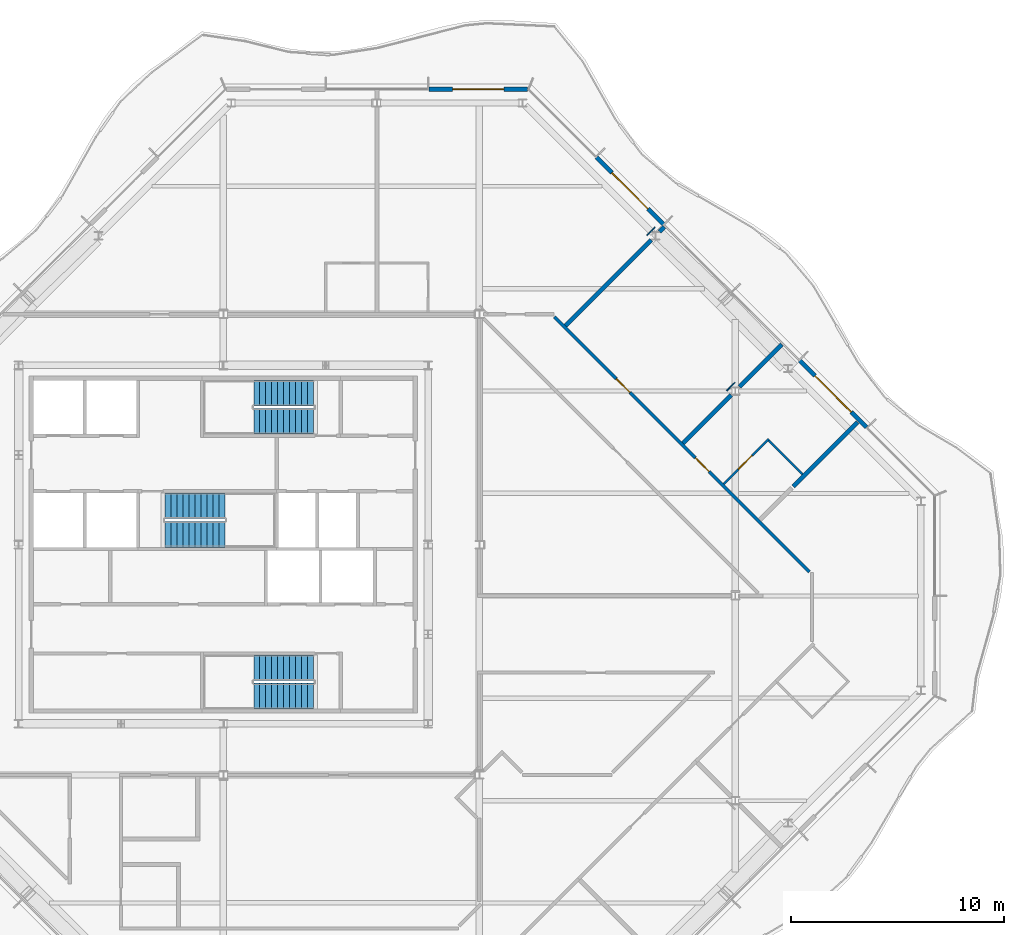
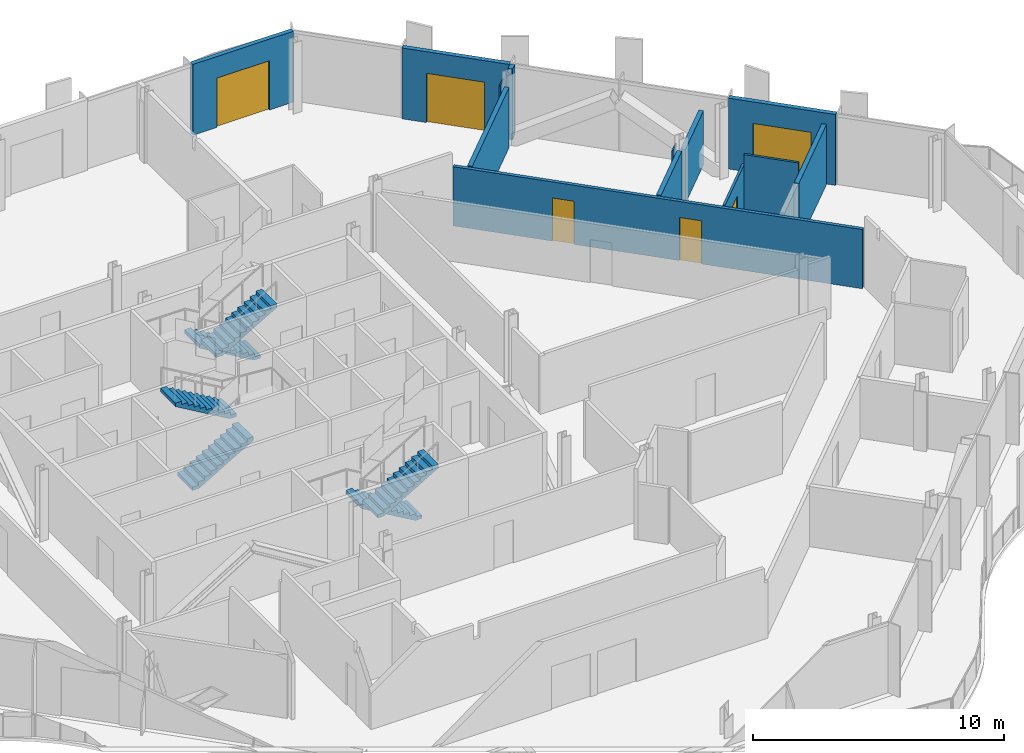
# One storey, part 11 of 16: 13 walls, 6 doors, 6 stair flights, 6 openings, 3 elements without a shape of their own.
"""IFC4 building model written with IfcOpenShell, lengths in metres."""

import ifcopenshell
import ifcopenshell.guid

model = None  # the IFC model being written
_history = None  # IfcOwnerHistory: only IFC2X3 demands one
_inside = {}  # id of a spatial element -> (the spatial element, [elements in it])
_under = {}  # id of a project, library or spatial element -> (it, [spatial elements below it])
_declared = {}  # id of a project -> (the project, [libraries it declares])
_typed = {}  # id of a type object -> (the type object, [elements of that type])
_made_of = {}  # id of a material, layer set ... -> (it, [elements and type objects made of it])


def new_model(schema):
    """Start an empty IFC model of exactly this schema.

    Asked for "IFC4X3", IfcOpenShell would pick the latest addendum, in which some entities
    have other attributes; the version numbers below select the first issue.
    IFC2X3 requires an IfcOwnerHistory on every rooted entity: one is made here for all.
    """
    global model, _history
    if schema == "IFC4X3":
        model = ifcopenshell.file(schema_version=(4, 3, 0, 0))
    else:
        model = ifcopenshell.file(schema=schema)
    _inside.clear()
    _under.clear()
    _declared.clear()
    _typed.clear()
    _made_of.clear()
    _history = None
    if model.schema == "IFC2X3":
        org = make("IfcOrganization", Name="unknown")
        user = make(
            "IfcPersonAndOrganization",
            ThePerson=make("IfcPerson", FamilyName="unknown"),
            TheOrganization=org,
        )
        app = make(
            "IfcApplication",
            ApplicationDeveloper=org,
            Version="unknown",
            ApplicationFullName="unknown",
            ApplicationIdentifier="unknown",
        )
        _history = make(
            "IfcOwnerHistory",
            OwningUser=user,
            OwningApplication=app,
            ChangeAction="ADDED",
            CreationDate=0,
        )
    return model


def make(cls, **values):
    """One entity of the class cls with the attributes given. An attribute that is None is left unset."""
    return model.create_entity(
        cls, **{name: value for name, value in values.items() if value is not None}
    )


def rooted(cls, **values):
    """An entity with a GlobalId (a new one), such as an element, a storey or a relation."""
    return make(cls, GlobalId=ifcopenshell.guid.new(), OwnerHistory=_history, **values)


def si_unit(unit_type, name, prefix=None):
    """IfcSIUnit, for example si_unit("LENGTHUNIT", "METRE", prefix="MILLI")."""
    return make("IfcSIUnit", UnitType=unit_type, Prefix=prefix, Name=name)


def assignment(units):
    """IfcUnitAssignment: the units of a project."""
    return None if units is None else make("IfcUnitAssignment", Units=units)


def point(xyz):
    """IfcCartesianPoint."""
    return None if xyz is None else make("IfcCartesianPoint", Coordinates=xyz)


def direction(xyz):
    """IfcDirection."""
    return None if xyz is None else make("IfcDirection", DirectionRatios=xyz)


def frame(location, z_axis=None, x_axis=None):
    """IfcAxis2Placement3D, a coordinate frame: its origin and axes. An axis left out is left unset."""
    return make(
        "IfcAxis2Placement3D",
        Location=point(location),
        Axis=direction(z_axis),
        RefDirection=direction(x_axis),
    )


def frame_2d(location, x_axis=None):
    """IfcAxis2Placement2D, a coordinate frame in the plane: its origin and x axis."""
    return make(
        "IfcAxis2Placement2D", Location=point(location), RefDirection=direction(x_axis)
    )


def origin():
    """The frame at (0, 0, 0) with its axes left unset."""
    return frame((0.0, 0.0, 0.0))


def place(relative_to, where):
    """IfcLocalPlacement: puts the frame where relative to a parent placement (None: the world)."""
    return make(
        "IfcLocalPlacement", PlacementRelTo=relative_to, RelativePlacement=where
    )


def context(
    kind, dimensions, precision=None, world=None, true_north=None, identifier=None
):
    """IfcGeometricRepresentationContext, for example the 3D "Model" context."""
    return make(
        "IfcGeometricRepresentationContext",
        ContextIdentifier=identifier,
        ContextType=kind,
        CoordinateSpaceDimension=dimensions,
        Precision=precision,
        WorldCoordinateSystem=world,
        TrueNorth=true_north,
    )


def subcontext(parent, identifier, kind, view, scale=None):
    """IfcGeometricRepresentationSubContext, for example "Body" below "Model"."""
    return make(
        "IfcGeometricRepresentationSubContext",
        ContextIdentifier=identifier,
        ContextType=kind,
        ParentContext=parent,
        TargetScale=scale,
        TargetView=view,
    )


def project(units=None, contexts=None):
    """IfcProject with its units and contexts."""
    return rooted(
        "IfcProject",
        Name="project",
        RepresentationContexts=contexts,
        UnitsInContext=assignment(units),
    )


def spatial(cls, under=None, at=None, **own):
    """A site, building, storey or space (cls), placed at a placement, below another one or the project."""
    s = rooted(cls, ObjectPlacement=at, **own)
    if under is not None:
        _under.setdefault(under.id(), (under, []))[1].append(s)
    return s


def polyline(points):
    """IfcPolyline through the points."""
    return make("IfcPolyline", Points=[point(p) for p in points])


def profile(cls, at=None, kind="AREA", **sizes):
    """A parametric profile (cls). Its sizes go by their IFC names, for example OverallWidth=200.0."""
    return make(cls, ProfileType=kind, Position=at, **sizes)


def rectangle(**sizes):
    """IfcRectangleProfileDef."""
    return profile("IfcRectangleProfileDef", **sizes)


def outline(outer, holes=None, kind="AREA"):
    """IfcArbitraryClosedProfileDef: a profile drawn as a closed curve; with holes, ...WithVoids."""
    if holes is None:
        return make("IfcArbitraryClosedProfileDef", ProfileType=kind, OuterCurve=outer)
    return make(
        "IfcArbitraryProfileDefWithVoids",
        ProfileType=kind,
        OuterCurve=outer,
        InnerCurves=holes,
    )


def extrude(swept, where, along, depth):
    """IfcExtrudedAreaSolid: the profile swept, set in the frame where, extruded along a direction by depth."""
    return make(
        "IfcExtrudedAreaSolid",
        SweptArea=swept,
        Position=where,
        ExtrudedDirection=direction(along),
        Depth=depth,
    )


def shape(context_of_items, identifier, shape_type, items):
    """IfcShapeRepresentation: the items that make up one representation, for example the "Body"."""
    return make(
        "IfcShapeRepresentation",
        ContextOfItems=context_of_items,
        RepresentationIdentifier=identifier,
        RepresentationType=shape_type,
        Items=items,
    )


def material(Name=None, Category=None):
    """IfcMaterial."""
    return make("IfcMaterial", Name=Name, Category=Category)


def layer(
    of_material, thickness, ventilated=None, Name=None, Category=None, Priority=None
):
    """IfcMaterialLayer: one layer of a wall or slab, of a material (None: an air gap)."""
    return make(
        "IfcMaterialLayer",
        Material=of_material,
        LayerThickness=thickness,
        IsVentilated=ventilated,
        Name=Name,
        Category=Category,
        Priority=Priority,
    )


def layer_set(layers, Name=None):
    """IfcMaterialLayerSet."""
    return make("IfcMaterialLayerSet", MaterialLayers=layers, LayerSetName=Name)


def made_of(thing, what):
    """Note that an element or type object is made of a material, layer set ...; save() writes the relation."""
    if what is not None:
        _made_of.setdefault(what.id(), (what, []))[1].append(thing)
    return thing


def type_object(cls, material=None, **own):
    """A type object (cls), such as IfcWallType, which elements share."""
    return made_of(rooted(cls, **own), material)


def element(
    cls,
    number,
    at=None,
    inside=None,
    cuts=None,
    type_object=None,
    material=None,
    context=None,
    identifier="Body",
    shape_type=None,
    held_by="IfcProductDefinitionShape",
    body=None,
    shapes=None,
    **own,
):
    """One element of the class cls, such as IfcWall. Its Tag is "e" and its number.

    at: its placement. inside: the storey or other place that contains it. cuts: it is an
    opening in that element (IfcRelVoidsElement). A single representation is given by context,
    identifier, shape_type and body (its items); several are given by shapes. held_by: the class
    of the entity that holds the representations. save() writes the other relations.
    """
    e = rooted(cls, Tag="e%d" % number, ObjectPlacement=at, **own)
    if body is not None:
        shapes = [shape(context, identifier, shape_type, body)]
    if shapes is not None:
        e.Representation = make(held_by, Representations=shapes)
    if inside is not None:
        _inside.setdefault(inside.id(), (inside, []))[1].append(e)
    if cuts is not None:
        rooted(
            "IfcRelVoidsElement", RelatingBuildingElement=cuts, RelatedOpeningElement=e
        )
    if type_object is not None:
        _typed.setdefault(type_object.id(), (type_object, []))[1].append(e)
    return made_of(e, material)


def fill(opening, filler):
    """IfcRelFillsElement: the door or window that sits in an opening."""
    return rooted(
        "IfcRelFillsElement",
        RelatingOpeningElement=opening,
        RelatedBuildingElement=filler,
    )


def aggregate(whole, parts):
    """IfcRelAggregates: a whole, such as a stair, and the parts it consists of."""
    return rooted("IfcRelAggregates", RelatingObject=whole, RelatedObjects=parts)


def save(model, path):
    """Write the relations noted so far, then the file.

    IfcRelAggregates (storeys below a building ...), IfcRelContainedInSpatialStructure (elements
    in a storey), IfcRelDefinesByType, IfcRelAssociatesMaterial and IfcRelDeclares: one each for
    every whole, place, type object, material and project.
    """
    for whole, parts in _under.values():
        aggregate(whole, parts)
    for where, things in _inside.values():
        rooted(
            "IfcRelContainedInSpatialStructure",
            RelatedElements=things,
            RelatingStructure=where,
        )
    for kind, things in _typed.values():
        rooted("IfcRelDefinesByType", RelatedObjects=things, RelatingType=kind)
    for what, things in _made_of.values():
        rooted("IfcRelAssociatesMaterial", RelatedObjects=things, RelatingMaterial=what)
    for by, libraries in _declared.values():
        rooted("IfcRelDeclares", RelatingContext=by, RelatedDefinitions=libraries)
    model.write(path)


model = new_model("IFC4")

# Units and contexts
model_context = context("Model", 3, precision=1e-05, world=origin(), true_north=direction((0.0, 1.0)))
body_context = subcontext(model_context, "Body", "Model", "MODEL_VIEW")
ifc_project = project(units=[si_unit("LENGTHUNIT", "METRE"), si_unit("AREAUNIT", "SQUARE_METRE"), si_unit("VOLUMEUNIT", "CUBIC_METRE"), si_unit("PLANEANGLEUNIT", "RADIAN"), si_unit("MASSUNIT", "GRAM", prefix="KILO")], contexts=[model_context])

# Site, building, storey
site_placement = place(None, origin())
site = spatial("IfcSite", under=ifc_project, at=site_placement, CompositionType="ELEMENT")
building_placement = place(site_placement, origin())
building = spatial("IfcBuilding", under=site, at=building_placement, Name="Cairn Pilgrim Tower", CompositionType="ELEMENT")
storey_placement = place(building_placement, frame((0.0, 0.0, 288.60009765625)))
storey = spatial("IfcBuildingStorey", under=building, at=storey_placement, Name="L74", CompositionType="ELEMENT", Elevation=288.60009765625)

# Wall, opening, door
ifc_material_1 = material(Name="Bronze anodised aluminium insulated sandwich panel with mineral wool fill", Category="aluminium")
ifc_layer_1 = layer(ifc_material_1, 0.199951171875)
ifc_layer_set_1 = layer_set([ifc_layer_1], Name="BRONZE INFILL FRAME WALL 200")
wall_type_1 = type_object("IfcWallType", Name="BRONZE INFILL FRAME WALL 200", PredefinedType="NOTDEFINED", material=ifc_layer_set_1)
wall_1_placement = place(storey_placement, frame((37.353271484375, 7.893310546875, 0.0), z_axis=(0.0, 0.0, 1.0), x_axis=(-0.707134329907, 0.707079231393, 0.0)))
wall_1 = element("IfcWall", 1, at=wall_1_placement, inside=storey, type_object=wall_type_1, Name="Bronze infill frame wall IW-NE2", PredefinedType="NOTDEFINED", context=body_context, shape_type="SweptSolid", body=[
    extrude(rectangle(XDim=4.430908203125, YDim=0.199951171875, at=frame_2d((2.21533203125, 0.0))), origin(), (0.0, 0.0, 1.0), 3.449951171875),
])
opening_1_placement = place(wall_1_placement, frame((1.015625, 0.0, 0.0)))
opening_1 = element("IfcOpeningElement", 2, at=opening_1_placement, cuts=wall_1, Name="Opening 7404B", PredefinedType="OPENING", context=body_context, shape_type="SweptSolid", body=[
    extrude(rectangle(XDim=2.39990234375, YDim=2.39990234375, at=frame_2d((1.199951171875, 1.199951171875))), frame((0.0, 0.10986328125, 0.0), z_axis=(0.0, -1.0, 0.0), x_axis=(1.0, 0.0, 0.0)), (0.0, 0.0, 1.0), 0.219970703125),
])
ifc_material_2 = material(Name="Bronze anodised aluminium frame with tinted low-E glass", Category="aluminium")
door_type_1 = type_object("IfcDoorType", Name="BALCONY SLIDING DOOR 2400x2400", OperationType="DOUBLE_DOOR_SLIDING", PredefinedType="DOOR", material=ifc_material_2)
door_1_placement = place(opening_1_placement, origin())
door_1 = element("IfcDoor", 3, at=door_1_placement, inside=storey, type_object=door_type_1, Name="Balcony sliding door 7404B", OperationType="SINGLE_SWING_LEFT", OverallHeight=2.39990234375, OverallWidth=2.39990234375, PredefinedType="DOOR", context=body_context, shape_type="SweptSolid", body=[
    extrude(rectangle(XDim=2.39990234375, YDim=2.39990234375, at=frame_2d((1.199951171875, 1.199951171875))), frame((0.0, 0.02490234375, 0.0), z_axis=(0.0, -1.0, 0.0), x_axis=(1.0, 0.0, 0.0)), (0.0, 0.0, 1.0), 0.050048828125),
])
fill(opening_1, door_1)

wall_2_placement = place(storey_placement, frame((27.826416015625, 17.419921875, 0.0), z_axis=(0.0, 0.0, 1.0), x_axis=(-0.707079231393, 0.707134329907, 0.0)))
wall_2 = element("IfcWall", 4, at=wall_2_placement, inside=storey, type_object=wall_type_1, Name="Bronze infill frame wall IW-NE5", PredefinedType="NOTDEFINED", context=body_context, shape_type="SweptSolid", body=[
    extrude(rectangle(XDim=4.430908203125, YDim=0.199951171875, at=frame_2d((2.21533203125, 0.0))), origin(), (0.0, 0.0, 1.0), 3.449951171875),
])
opening_2_placement = place(wall_2_placement, frame((1.01513671875, 0.0, 0.0)))
opening_2 = element("IfcOpeningElement", 5, at=opening_2_placement, cuts=wall_2, Name="Opening 7406B2", PredefinedType="OPENING", context=body_context, shape_type="SweptSolid", body=[
    extrude(rectangle(XDim=2.39990234375, YDim=2.39990234375, at=frame_2d((1.199951171875, 1.199951171875))), frame((0.0, 0.10986328125, 0.0), z_axis=(0.0, -1.0, 0.0), x_axis=(1.0, 0.0, 0.0)), (0.0, 0.0, 1.0), 0.219970703125),
])
door_2_placement = place(opening_2_placement, origin())
door_2 = element("IfcDoor", 6, at=door_2_placement, inside=storey, type_object=door_type_1, Name="Balcony sliding door 7406B2", OperationType="SINGLE_SWING_LEFT", OverallHeight=2.39990234375, OverallWidth=2.39990234375, PredefinedType="DOOR", context=body_context, shape_type="SweptSolid", body=[
    extrude(rectangle(XDim=2.39990234375, YDim=2.39990234375, at=frame_2d((1.199951171875, 1.199951171875))), frame((0.0, 0.02490234375, 0.0), z_axis=(0.0, -1.0, 0.0), x_axis=(1.0, 0.0, 0.0)), (0.0, 0.0, 1.0), 0.050048828125),
])
fill(opening_2, door_2)

wall_3_placement = place(storey_placement, frame((21.45654296875, 23.75, 0.0), z_axis=(0.0, 0.0, 1.0), x_axis=(-1.0, 0.0, 0.0)))
wall_3 = element("IfcWall", 7, at=wall_3_placement, inside=storey, type_object=wall_type_1, Name="Bronze infill frame wall IW-N1", PredefinedType="NOTDEFINED", context=body_context, shape_type="SweptSolid", body=[
    extrude(rectangle(XDim=4.62646484375, YDim=0.199951171875, at=frame_2d((2.313232421875, 0.0))), origin(), (0.0, 0.0, 1.0), 3.449951171875),
])
opening_3_placement = place(wall_3_placement, frame((1.1083984375, 0.0, 0.0)))
opening_3 = element("IfcOpeningElement", 8, at=opening_3_placement, cuts=wall_3, Name="Opening 7406B", PredefinedType="OPENING", context=body_context, shape_type="SweptSolid", body=[
    extrude(rectangle(XDim=2.39990234375, YDim=2.39990234375, at=frame_2d((1.199951171875, 1.199951171875))), frame((0.0, 0.10986328125, 0.0), z_axis=(0.0, -1.0, 0.0), x_axis=(1.0, 0.0, 0.0)), (0.0, 0.0, 1.0), 0.219970703125),
])
door_3_placement = place(opening_3_placement, origin())
door_3 = element("IfcDoor", 9, at=door_3_placement, inside=storey, type_object=door_type_1, Name="Balcony sliding door 7406B", OperationType="SINGLE_SWING_LEFT", OverallHeight=2.39990234375, OverallWidth=2.39990234375, PredefinedType="DOOR", context=body_context, shape_type="SweptSolid", body=[
    extrude(rectangle(XDim=2.39990234375, YDim=2.39990234375, at=frame_2d((1.199951171875, 1.199951171875))), frame((0.0, 0.02490234375, 0.0), z_axis=(0.0, -1.0, 0.0), x_axis=(1.0, 0.0, 0.0)), (0.0, 0.0, 1.0), 0.050048828125),
])
fill(opening_3, door_3)

ifc_material_3 = material(Name="Gypsum partition")
ifc_layer_2 = layer(ifc_material_3, 0.10009765625)
ifc_layer_set_2 = layer_set([ifc_layer_2], Name="PARTITION 100 DRYWALL")
wall_type_2 = type_object("IfcWallType", Name="PARTITION 100 DRYWALL", PredefinedType="PARTITIONING", material=ifc_layer_set_2)
wall_4_placement = place(storey_placement, frame((30.654052734375, 5.24609375, 0.0), z_axis=(0.0, 0.0, 1.0), x_axis=(0.706942643129, 0.707270881152, 0.0)))
wall_4 = element("IfcWall", 10, at=wall_4_placement, inside=storey, type_object=wall_type_2, Name="PARTITION W047", PredefinedType="PARTITIONING", context=body_context, shape_type="SweptSolid", body=[
    extrude(rectangle(XDim=2.97509765625, YDim=0.10009765625, at=frame_2d((1.487548828125, 0.0))), origin(), (0.0, 0.0, 1.0), 2.929931640625),
])
opening_4_placement = place(wall_4_placement, frame((0.975341796875, 0.0, 0.0)))
opening_4 = element("IfcOpeningElement", 11, at=opening_4_placement, cuts=wall_4, Name="Opening 7404A", PredefinedType="OPENING", context=body_context, shape_type="SweptSolid", body=[
    extrude(rectangle(XDim=0.89990234375, YDim=2.10009765625, at=frame_2d((0.449951171875, 1.050048828125))), frame((0.0, 0.06005859375, 0.0), z_axis=(0.0, -1.0, 0.0), x_axis=(1.0, 0.0, 0.0)), (0.0, 0.0, 1.0), 0.1201171875),
])
ifc_material_4 = material(Name="Timber door leaf", Category="wood")
door_type_2 = type_object("IfcDoorType", Name="WC DOOR 900x2100", OperationType="NOTDEFINED", PredefinedType="DOOR", material=ifc_material_4)
door_4_placement = place(opening_4_placement, origin())
door_4 = element("IfcDoor", 12, at=door_4_placement, inside=storey, type_object=door_type_2, Name="DOOR 7404A", OperationType="SINGLE_SWING_LEFT", OverallHeight=2.10009765625, OverallWidth=0.89990234375, PredefinedType="DOOR", context=body_context, shape_type="SweptSolid", body=[
    extrude(rectangle(XDim=0.89990234375, YDim=2.10009765625, at=frame_2d((0.449951171875, 1.050048828125))), frame((0.0, 0.02490234375, 0.0), z_axis=(0.0, -1.0, 0.0), x_axis=(1.0, 0.0, 0.0)), (0.0, 0.0, 1.0), 0.050048828125),
])
fill(opening_4, door_4)

# Wall
wall_5_placement = place(storey_placement, frame((34.348388671875, 5.688720703125, 0.0), z_axis=(0.0, 0.0, 1.0), x_axis=(-0.70716103421, 0.707052524, 0.0)))
element("IfcWall", 13, at=wall_5_placement, inside=storey, type_object=wall_type_2, Name="PARTITION W048", PredefinedType="PARTITIONING", context=body_context, shape_type="SweptSolid", body=[
    extrude(rectangle(XDim=2.25, YDim=0.10009765625, at=frame_2d((1.125, 0.0))), origin(), (0.0, 0.0, 1.0), 3.449951171875),
])

# Wall, openings, doors
ifc_layer_3 = layer(ifc_material_3, 0.14990234375)
ifc_layer_set_3 = layer_set([ifc_layer_3], Name="PARTITION 150 DRYWALL EI 60")
wall_type_3 = type_object("IfcWallType", Name="PARTITION 150 DRYWALL EI 60", PredefinedType="PARTITIONING", material=ifc_layer_set_3)
wall_6_placement = place(storey_placement, frame((34.672119140625, 1.1220703125, 0.0), z_axis=(0.0, 0.0, 1.0), x_axis=(-0.707114004264, 0.707099558035, 0.0)))
wall_6 = element("IfcWall", 14, at=wall_6_placement, inside=storey, type_object=wall_type_3, Name="PARTITION W042", PredefinedType="PARTITIONING", context=body_context, shape_type="SweptSolid", body=[
    extrude(rectangle(XDim=16.89990234375, YDim=0.14990234375, at=frame_2d((8.449951171875, 0.0))), origin(), (0.0, 0.0, 1.0), 2.8798828125),
])
opening_5_placement = place(wall_6_placement, frame((6.65380859375, 0.0, 0.0)))
opening_5 = element("IfcOpeningElement", 15, at=opening_5_placement, cuts=wall_6, Name="Opening 7404", PredefinedType="OPENING", context=body_context, shape_type="SweptSolid", body=[
    extrude(rectangle(XDim=0.89990234375, YDim=2.10009765625, at=frame_2d((0.449951171875, 1.050048828125))), frame((0.0, 0.0849609375, 0.0), z_axis=(0.0, -1.0, 0.0), x_axis=(1.0, 0.0, 0.0)), (0.0, 0.0, 1.0), 0.169921875),
])
opening_6_placement = place(wall_6_placement, frame((11.89697265625, 0.0, 0.0)))
opening_6 = element("IfcOpeningElement", 16, at=opening_6_placement, cuts=wall_6, Name="Opening 7405", PredefinedType="OPENING", context=body_context, shape_type="SweptSolid", body=[
    extrude(rectangle(XDim=0.89990234375, YDim=2.10009765625, at=frame_2d((0.449951171875, 1.050048828125))), frame((0.0, 0.0849609375, 0.0), z_axis=(0.0, -1.0, 0.0), x_axis=(1.0, 0.0, 0.0)), (0.0, 0.0, 1.0), 0.169921875),
])
door_type_3 = type_object("IfcDoorType", Name="ROOM DOOR 900x2100 FD30S", OperationType="NOTDEFINED", PredefinedType="DOOR", material=ifc_material_4)
door_5_placement = place(opening_5_placement, frame((0.89990234375, 0.0, 0.0), z_axis=(0.0, 0.0, 1.0), x_axis=(-1.0, 0.0, 0.0)))
door_5 = element("IfcDoor", 17, at=door_5_placement, inside=storey, type_object=door_type_3, Name="DOOR 7404", OperationType="SINGLE_SWING_LEFT", OverallHeight=2.10009765625, OverallWidth=0.89990234375, PredefinedType="DOOR", context=body_context, shape_type="SweptSolid", body=[
    extrude(rectangle(XDim=0.89990234375, YDim=2.10009765625, at=frame_2d((0.449951171875, 1.050048828125))), frame((0.0, 0.02490234375, 0.0), z_axis=(0.0, -1.0, 0.0), x_axis=(1.0, 0.0, 0.0)), (0.0, 0.0, 1.0), 0.050048828125),
])
fill(opening_5, door_5)
door_type_4 = type_object("IfcDoorType", Name="SERVICE DOOR 900x2100 FD30S", OperationType="NOTDEFINED", PredefinedType="DOOR", material=ifc_material_4)
door_6_placement = place(opening_6_placement, frame((0.89990234375, 0.0, 0.0), z_axis=(0.0, 0.0, 1.0), x_axis=(-1.0, 0.0, 0.0)))
door_6 = element("IfcDoor", 18, at=door_6_placement, inside=storey, type_object=door_type_4, Name="DOOR 7405", OperationType="SINGLE_SWING_LEFT", OverallHeight=2.10009765625, OverallWidth=0.89990234375, PredefinedType="DOOR", context=body_context, shape_type="SweptSolid", body=[
    extrude(rectangle(XDim=0.89990234375, YDim=2.10009765625, at=frame_2d((0.449951171875, 1.050048828125))), frame((0.0, 0.02490234375, 0.0), z_axis=(0.0, -1.0, 0.0), x_axis=(1.0, 0.0, 0.0)), (0.0, 0.0, 1.0), 0.050048828125),
])
fill(opening_6, door_6)

# Walls
ifc_layer_4 = layer(ifc_material_3, 0.050048828125)
ifc_layer_set_4 = layer_set([ifc_layer_4], Name="PARTITION 50 DRYWALL EI 60")
wall_type_4 = type_object("IfcWallType", Name="PARTITION 50 DRYWALL EI 60", PredefinedType="PARTITIONING", material=ifc_layer_set_4)
wall_7_placement = place(storey_placement, frame((30.7978515625, 9.61767578125, 0.0), z_axis=(0.0, 0.0, 1.0), x_axis=(0.707106781187, 0.707106781187, 0.0)))
element("IfcWall", 19, at=wall_7_placement, inside=storey, type_object=wall_type_4, Name="COLUMN CASING WC16", PredefinedType="PARTITIONING", context=body_context, shape_type="SweptSolid", body=[
    extrude(rectangle(XDim=0.543701171875, YDim=0.050048828125, at=frame_2d((0.27197265625, 0.0))), origin(), (0.0, 0.0, 1.0), 2.8798828125),
])
wall_8_placement = place(storey_placement, frame((27.05419921875, 16.893310546875, 0.0), z_axis=(0.0, 0.0, 1.0), x_axis=(0.707106781187, 0.707106781187, 0.0)))
element("IfcWall", 20, at=wall_8_placement, inside=storey, type_object=wall_type_4, Name="COLUMN CASING WC17", PredefinedType="PARTITIONING", context=body_context, shape_type="SweptSolid", body=[
    extrude(rectangle(XDim=0.536865234375, YDim=0.050048828125, at=frame_2d((0.2685546875, 0.0))), origin(), (0.0, 0.0, 1.0), 2.929931640625),
])
ifc_layer_5 = layer(ifc_material_3, 0.199951171875)
ifc_layer_set_5 = layer_set([ifc_layer_5], Name="SHAFT WALL 200 GYPSUM EI 60")
wall_type_5 = type_object("IfcWallType", Name="SHAFT WALL 200 GYPSUM EI 60", PredefinedType="PARTITIONING", material=ifc_layer_set_5)
wall_9_placement = place(storey_placement, frame((33.923828125, 5.123046875, 0.0), z_axis=(0.0, 0.0, 1.0), x_axis=(0.70722156193, 0.706991981809, 0.0)))
element("IfcWall", 21, at=wall_9_placement, inside=storey, type_object=wall_type_5, Name="PARTITION W046", PredefinedType="PARTITIONING", context=body_context, shape_type="SweptSolid", body=[
    extrude(rectangle(XDim=4.253662109375, YDim=0.199951171875, at=frame_2d((2.126953125, 0.0))), origin(), (0.0, 0.0, 1.0), 2.929931640625),
])
wall_10_placement = place(storey_placement, frame((28.75, 7.14990234375, 0.0), z_axis=(0.0, 0.0, 1.0), x_axis=(0.707106781187, 0.707106781187, 0.0)))
element("IfcWall", 22, at=wall_10_placement, inside=storey, type_object=wall_type_5, Name="PARTITION W049", PredefinedType="PARTITIONING", context=body_context, shape_type="SweptSolid", body=[
    extrude(rectangle(XDim=3.193115234375, YDim=0.199951171875, at=frame_2d((1.5966796875, 0.0))), origin(), (0.0, 0.0, 1.0), 2.929931640625),
])
wall_11_placement = place(storey_placement, frame((31.392333984375, 9.792236328125, 0.0), z_axis=(0.0, 0.0, 1.0), x_axis=(0.707106781187, 0.707106781187, 0.0)))
element("IfcWall", 23, at=wall_11_placement, inside=storey, type_object=wall_type_5, Name="PARTITION W050", PredefinedType="PARTITIONING", context=body_context, shape_type="SweptSolid", body=[
    extrude(rectangle(XDim=2.812255859375, YDim=0.199951171875, at=frame_2d((1.40625, 0.0))), origin(), (0.0, 0.0, 1.0), 2.6298828125),
])
wall_12_placement = place(storey_placement, frame((23.238037109375, 12.662109375, 0.0), z_axis=(0.0, 0.0, 1.0), x_axis=(0.707106781187, 0.707106781187, 0.0)))
element("IfcWall", 24, at=wall_12_placement, inside=storey, type_object=wall_type_5, Name="PARTITION W052", PredefinedType="PARTITIONING", context=body_context, shape_type="SweptSolid", body=[
    extrude(rectangle(XDim=5.6904296875, YDim=0.199951171875, at=frame_2d((2.84521484375, 0.0))), origin(), (0.0, 0.0, 1.0), 2.929931640625),
])
wall_13_placement = place(storey_placement, frame((27.641357421875, 17.065185546875, 0.0), z_axis=(0.0, 0.0, 1.0), x_axis=(0.707106781187, 0.707106781187, 0.0)))
element("IfcWall", 25, at=wall_13_placement, inside=storey, type_object=wall_type_5, Name="PARTITION W061", PredefinedType="PARTITIONING", context=body_context, shape_type="SweptSolid", body=[
    extrude(rectangle(XDim=0.32177734375, YDim=0.199951171875, at=frame_2d((0.160888671875, 0.0))), origin(), (0.0, 0.0, 1.0), 3.449951171875),
])

# Stair, stair flights
ifc_material_5 = material(Name="Concrete C32/40", Category="concrete")
stair_type = type_object("IfcStairType", Name="EXIT STAIR 1200", PredefinedType="HALF_TURN_STAIR", material=ifc_material_5)
stair_1_placement = place(storey_placement, origin())
stair_1 = element("IfcStair", 26, at=stair_1_placement, inside=storey, type_object=stair_type, Name="L74 Exit Stair A", PredefinedType="HALF_TURN_STAIR")
stair_flight_type = type_object("IfcStairFlightType", Name="STAIR FLIGHT 1200", PredefinedType="STRAIGHT", material=ifc_material_5)
stair_flight_1_placement = place(storey_placement, frame((11.425048828125, -3.375, 0.0), z_axis=(0.0, 0.0, 1.0), x_axis=(-1.0, 0.0, 0.0)))
stair_flight_1 = element("IfcStairFlight", 27, at=stair_flight_1_placement, type_object=stair_flight_type, Name="ST-A flight 1", NumberOfRisers=11, NumberOfTreads=10, PredefinedType="STRAIGHT", RiserHeight=0.163636364, TreadLength=0.28, context=body_context, shape_type="SweptSolid", body=[
    extrude(outline(polyline([(0.0, 0.0), (0.0, 0.16357421875), (0.280029296875, 0.16357421875), (0.280029296875, 0.327392578125), (0.56005859375, 0.327392578125), (0.56005859375, 0.490966796875), (0.840087890625, 0.490966796875), (0.840087890625, 0.654541015625), (1.1201171875, 0.654541015625), (1.1201171875, 0.818115234375), (1.39990234375, 0.818115234375), (1.39990234375, 0.98193359375), (1.679931640625, 0.98193359375), (1.679931640625, 1.1455078125), (1.9599609375, 1.1455078125), (1.9599609375, 1.30908203125), (2.239990234375, 1.30908203125), (2.239990234375, 1.47265625), (2.52001953125, 1.47265625), (2.52001953125, 1.636474609375), (2.800048828125, 1.636474609375), (2.800048828125, 1.800048828125), (2.800048828125, 1.462646484375), (0.297119140625, 0.0), (0.0, 0.0)])), frame((0.0, 0.60009765625, 0.0), z_axis=(0.0, -1.0, 0.0), x_axis=(1.0, 0.0, 0.0)), (0.0, 0.0, 1.0), 1.199951171875),
])
stair_flight_2_placement = place(storey_placement, frame((8.625, -4.699951171875, 1.7998046875), z_axis=(0.0, 0.0, 1.0), x_axis=(1.0, 0.0, 0.0)))
stair_flight_2 = element("IfcStairFlight", 28, at=stair_flight_2_placement, type_object=stair_flight_type, Name="ST-A flight 2", NumberOfRisers=11, NumberOfTreads=10, PredefinedType="STRAIGHT", RiserHeight=0.163636364, TreadLength=0.28, context=body_context, shape_type="SweptSolid", body=[
    extrude(outline(polyline([(0.0, 0.0), (0.0, 0.16357421875), (0.280029296875, 0.16357421875), (0.280029296875, 0.327392578125), (0.56005859375, 0.327392578125), (0.56005859375, 0.490966796875), (0.840087890625, 0.490966796875), (0.840087890625, 0.654541015625), (1.1201171875, 0.654541015625), (1.1201171875, 0.818115234375), (1.39990234375, 0.818115234375), (1.39990234375, 0.98193359375), (1.679931640625, 0.98193359375), (1.679931640625, 1.1455078125), (1.9599609375, 1.1455078125), (1.9599609375, 1.30908203125), (2.239990234375, 1.30908203125), (2.239990234375, 1.47265625), (2.52001953125, 1.47265625), (2.52001953125, 1.636474609375), (2.800048828125, 1.636474609375), (2.800048828125, 1.800048828125), (2.800048828125, 1.462646484375), (0.297119140625, 0.0), (0.0, 0.0)])), frame((0.0, 0.60009765625, 0.0), z_axis=(0.0, -1.0, 0.0), x_axis=(1.0, 0.0, 0.0)), (0.0, 0.0, 1.0), 1.199951171875),
])
aggregate(stair_1, [stair_flight_1, stair_flight_2])

stair_2_placement = place(storey_placement, origin())
stair_2 = element("IfcStair", 29, at=stair_2_placement, inside=storey, type_object=stair_type, Name="L74 Exit Stair B", PredefinedType="HALF_TURN_STAIR")
stair_flight_3_placement = place(storey_placement, frame((4.47509765625, 2.875, 0.0), z_axis=(0.0, 0.0, 1.0), x_axis=(1.0, 0.0, 0.0)))
stair_flight_3 = element("IfcStairFlight", 30, at=stair_flight_3_placement, type_object=stair_flight_type, Name="ST-B flight 1", NumberOfRisers=11, NumberOfTreads=10, PredefinedType="STRAIGHT", RiserHeight=0.163636364, TreadLength=0.28, context=body_context, shape_type="SweptSolid", body=[
    extrude(outline(polyline([(0.0, 0.0), (0.0, 0.16357421875), (0.280029296875, 0.16357421875), (0.280029296875, 0.327392578125), (0.56005859375, 0.327392578125), (0.56005859375, 0.490966796875), (0.840087890625, 0.490966796875), (0.840087890625, 0.654541015625), (1.1201171875, 0.654541015625), (1.1201171875, 0.818115234375), (1.39990234375, 0.818115234375), (1.39990234375, 0.98193359375), (1.679931640625, 0.98193359375), (1.679931640625, 1.1455078125), (1.9599609375, 1.1455078125), (1.9599609375, 1.30908203125), (2.239990234375, 1.30908203125), (2.239990234375, 1.47265625), (2.52001953125, 1.47265625), (2.52001953125, 1.636474609375), (2.800048828125, 1.636474609375), (2.800048828125, 1.800048828125), (2.800048828125, 1.462646484375), (0.297119140625, 0.0), (0.0, 0.0)])), frame((0.0, 0.60009765625, 0.0), z_axis=(0.0, -1.0, 0.0), x_axis=(1.0, 0.0, 0.0)), (0.0, 0.0, 1.0), 1.199951171875),
])
stair_flight_4_placement = place(storey_placement, frame((7.27490234375, 4.22509765625, 1.7998046875), z_axis=(0.0, 0.0, 1.0), x_axis=(-1.0, 0.0, 0.0)))
stair_flight_4 = element("IfcStairFlight", 31, at=stair_flight_4_placement, type_object=stair_flight_type, Name="ST-B flight 2", NumberOfRisers=11, NumberOfTreads=10, PredefinedType="STRAIGHT", RiserHeight=0.163636364, TreadLength=0.28, context=body_context, shape_type="SweptSolid", body=[
    extrude(outline(polyline([(0.0, 0.0), (0.0, 0.16357421875), (0.280029296875, 0.16357421875), (0.280029296875, 0.327392578125), (0.56005859375, 0.327392578125), (0.56005859375, 0.490966796875), (0.840087890625, 0.490966796875), (0.840087890625, 0.654541015625), (1.1201171875, 0.654541015625), (1.1201171875, 0.818115234375), (1.39990234375, 0.818115234375), (1.39990234375, 0.98193359375), (1.679931640625, 0.98193359375), (1.679931640625, 1.1455078125), (1.9599609375, 1.1455078125), (1.9599609375, 1.30908203125), (2.239990234375, 1.30908203125), (2.239990234375, 1.47265625), (2.52001953125, 1.47265625), (2.52001953125, 1.636474609375), (2.800048828125, 1.636474609375), (2.800048828125, 1.800048828125), (2.800048828125, 1.462646484375), (0.297119140625, 0.0), (0.0, 0.0)])), frame((0.0, 0.60009765625, 0.0), z_axis=(0.0, -1.0, 0.0), x_axis=(1.0, 0.0, 0.0)), (0.0, 0.0, 1.0), 1.199951171875),
])
aggregate(stair_2, [stair_flight_3, stair_flight_4])

stair_3_placement = place(storey_placement, origin())
stair_3 = element("IfcStair", 32, at=stair_3_placement, inside=storey, type_object=stair_type, Name="L74 Exit Stair C", PredefinedType="HALF_TURN_STAIR")
stair_flight_5_placement = place(storey_placement, frame((11.425048828125, 9.5, 0.0), z_axis=(0.0, 0.0, 1.0), x_axis=(-1.0, 0.0, 0.0)))
stair_flight_5 = element("IfcStairFlight", 33, at=stair_flight_5_placement, type_object=stair_flight_type, Name="ST-C flight 1", NumberOfRisers=11, NumberOfTreads=10, PredefinedType="STRAIGHT", RiserHeight=0.163636364, TreadLength=0.28, context=body_context, shape_type="SweptSolid", body=[
    extrude(outline(polyline([(0.0, 0.0), (0.0, 0.16357421875), (0.280029296875, 0.16357421875), (0.280029296875, 0.327392578125), (0.56005859375, 0.327392578125), (0.56005859375, 0.490966796875), (0.840087890625, 0.490966796875), (0.840087890625, 0.654541015625), (1.1201171875, 0.654541015625), (1.1201171875, 0.818115234375), (1.39990234375, 0.818115234375), (1.39990234375, 0.98193359375), (1.679931640625, 0.98193359375), (1.679931640625, 1.1455078125), (1.9599609375, 1.1455078125), (1.9599609375, 1.30908203125), (2.239990234375, 1.30908203125), (2.239990234375, 1.47265625), (2.52001953125, 1.47265625), (2.52001953125, 1.636474609375), (2.800048828125, 1.636474609375), (2.800048828125, 1.800048828125), (2.800048828125, 1.462646484375), (0.297119140625, 0.0), (0.0, 0.0)])), frame((0.0, 0.60009765625, 0.0), z_axis=(0.0, -1.0, 0.0), x_axis=(1.0, 0.0, 0.0)), (0.0, 0.0, 1.0), 1.199951171875),
])
stair_flight_6_placement = place(storey_placement, frame((8.625, 8.175048828125, 1.7998046875), z_axis=(0.0, 0.0, 1.0), x_axis=(1.0, 0.0, 0.0)))
stair_flight_6 = element("IfcStairFlight", 34, at=stair_flight_6_placement, type_object=stair_flight_type, Name="ST-C flight 2", NumberOfRisers=11, NumberOfTreads=10, PredefinedType="STRAIGHT", RiserHeight=0.163636364, TreadLength=0.28, context=body_context, shape_type="SweptSolid", body=[
    extrude(outline(polyline([(0.0, 0.0), (0.0, 0.16357421875), (0.280029296875, 0.16357421875), (0.280029296875, 0.327392578125), (0.56005859375, 0.327392578125), (0.56005859375, 0.490966796875), (0.840087890625, 0.490966796875), (0.840087890625, 0.654541015625), (1.1201171875, 0.654541015625), (1.1201171875, 0.818115234375), (1.39990234375, 0.818115234375), (1.39990234375, 0.98193359375), (1.679931640625, 0.98193359375), (1.679931640625, 1.1455078125), (1.9599609375, 1.1455078125), (1.9599609375, 1.30908203125), (2.239990234375, 1.30908203125), (2.239990234375, 1.47265625), (2.52001953125, 1.47265625), (2.52001953125, 1.636474609375), (2.800048828125, 1.636474609375), (2.800048828125, 1.800048828125), (2.800048828125, 1.462646484375), (0.297119140625, 0.0), (0.0, 0.0)])), frame((0.0, 0.60009765625, 0.0), z_axis=(0.0, -1.0, 0.0), x_axis=(1.0, 0.0, 0.0)), (0.0, 0.0, 1.0), 1.199951171875),
])
aggregate(stair_3, [stair_flight_5, stair_flight_6])

save(model, "model.ifc")
